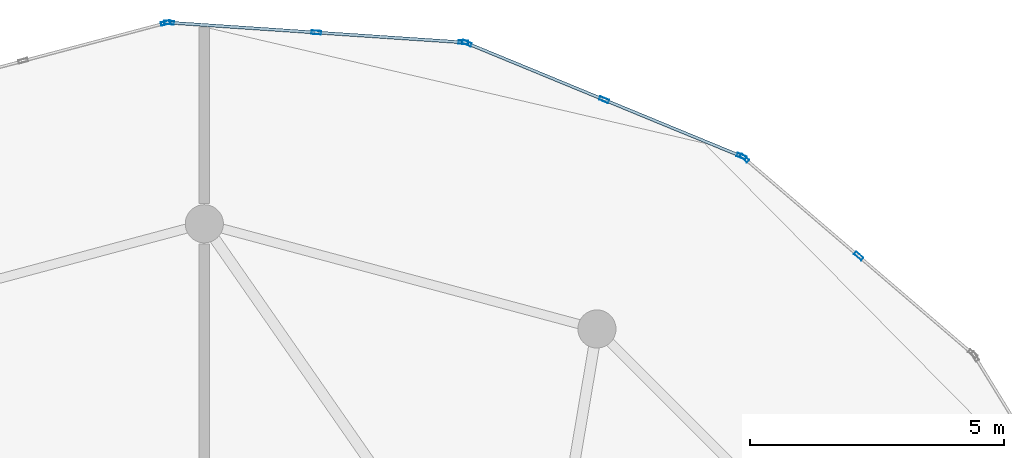
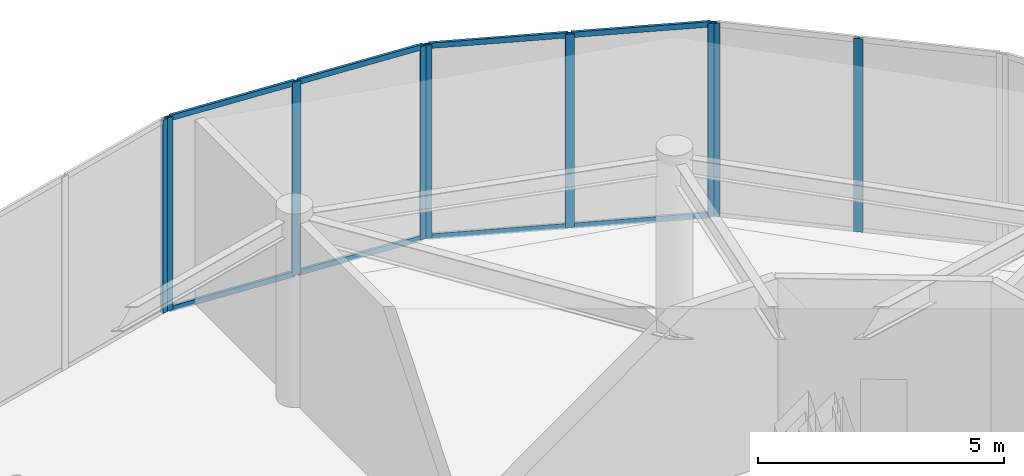
# One storey, part 14 of 21: 17 members, 4 elements without a shape of their own.
"""IFC4 building model written with IfcOpenShell, lengths in metres."""

from ifc_helpers import new_model, si_unit, direction, frame, origin, origin_2d, place, context, subcontext, project, spatial, hollow_rectangle, extrude, source, transform, mapped, material, layer, layer_set, material_profile, profile_set, type_object, element, aggregate, save


model = new_model("IFC4")

# Units and contexts
model_context = context("Model", 3, precision=1e-05, world=origin(), true_north=direction((0.0, 1.0)))
body_context = subcontext(model_context, "Body", "Model", "MODEL_VIEW")
ifc_project = project(units=[si_unit("LENGTHUNIT", "METRE"), si_unit("AREAUNIT", "SQUARE_METRE"), si_unit("VOLUMEUNIT", "CUBIC_METRE"), si_unit("PLANEANGLEUNIT", "RADIAN"), si_unit("MASSUNIT", "GRAM", prefix="KILO")], contexts=[model_context])

# Site, building, storey
site_placement = place(None, origin())
site = spatial("IfcSite", under=ifc_project, at=site_placement, CompositionType="ELEMENT")
building_placement = place(site_placement, origin())
building = spatial("IfcBuilding", under=site, at=building_placement, Name="Solvirekh Grand Hotel", CompositionType="ELEMENT")
storey_placement = place(building_placement, frame((0.0, 0.0, 262.0)))
storey = spatial("IfcBuildingStorey", under=building, at=storey_placement, Name="L68", CompositionType="ELEMENT", Elevation=262.0)

# Curtain wall, members
ifc_material = material(Name="Anodized Bronze Aluminium 6063-T6", Category="aluminium")
ifc_layer = layer(ifc_material, 0.18994140625)
ifc_layer_set = layer_set([ifc_layer], Name="Anodized Bronze Aluminium 6063-T6")
curtain_wall_type = type_object("IfcCurtainWallType", Name="CW_Sys5_SkyLobbyPanoramaCW", PredefinedType="NOTDEFINED", material=ifc_layer_set)
curtain_wall_1_placement = place(storey_placement, origin())
curtain_wall_1 = element("IfcCurtainWall", 1, at=curtain_wall_1_placement, inside=storey, type_object=curtain_wall_type, Name="L68 unitised bronze-glass curtain wall CW-L68-C08", PredefinedType="NOTDEFINED")
ifc_material_profile_1 = material_profile(ifc_material, hollow_rectangle(XDim=0.070068359375, YDim=0.18994140625, WallThickness=0.0048828125, at=origin_2d()), Name="ALU RHS 190X70X5")
ifc_profile_set_1 = profile_set([ifc_material_profile_1], Name="Anodized Bronze Aluminium 6063-T6")
member_type_1 = type_object("IfcMemberType", Name="CWMullion_Sys5", PredefinedType="MULLION", material=ifc_profile_set_1)
shared_shape_1 = source(origin(), body_context, "Body", "SweptSolid", [
    extrude(hollow_rectangle(XDim=0.070068359375, YDim=0.18994140625, WallThickness=0.0048828125, at=origin_2d()), origin(), (0.0, 0.0, 1.0), 4.800048828125),
])
member_1_placement = place(storey_placement, frame((12.8740234375, 14.8154296875, 0.0), z_axis=(0.0, 0.0, 1.0), x_axis=(-0.650805133483, -0.75924480784, 0.0)))
member_1 = element("IfcMember", 2, at=member_1_placement, type_object=member_type_1, Name="U05 mullion 2", PredefinedType="MULLION", context=body_context, shape_type="MappedRepresentation", body=[
    mapped(shared_shape_1, transform((0.0, 0.0, 0.0), x_axis=(1.0, 0.0, 0.0), y_axis=(0.0, 1.0, 0.0), z_axis=(0.0, 0.0, 1.0), scale=1.0)),
])
member_2_placement = place(storey_placement, frame((10.628662109375, 16.740234375, 0.0), z_axis=(0.0, 0.0, 1.0), x_axis=(-0.650805133483, -0.75924480784, 0.0)))
member_2 = element("IfcMember", 3, at=member_2_placement, type_object=member_type_1, Name="U05 mullion 3", PredefinedType="MULLION", context=body_context, shape_type="MappedRepresentation", body=[
    mapped(shared_shape_1, transform((0.0, 0.0, 0.0), x_axis=(1.0, 0.0, 0.0), y_axis=(0.0, 1.0, 0.0), z_axis=(0.0, 0.0, 1.0), scale=1.0)),
])
aggregate(curtain_wall_1, [member_1, member_2])

curtain_wall_2_placement = place(storey_placement, origin())
curtain_wall_2 = element("IfcCurtainWall", 4, at=curtain_wall_2_placement, inside=storey, type_object=curtain_wall_type, Name="L68 unitised bronze-glass curtain wall CW-L68-C09", PredefinedType="NOTDEFINED")
member_3_placement = place(storey_placement, frame((10.569580078125, 16.7763671875, 0.0), z_axis=(0.0, 0.0, 1.0), x_axis=(-0.381047380337, -0.924555511551, 0.0)))
member_3 = element("IfcMember", 5, at=member_3_placement, type_object=member_type_1, Name="U05 mullion 1", PredefinedType="MULLION", context=body_context, shape_type="MappedRepresentation", body=[
    mapped(shared_shape_1, transform((0.0, 0.0, 0.0), x_axis=(1.0, 0.0, 0.0), y_axis=(0.0, 1.0, 0.0), z_axis=(0.0, 0.0, 1.0), scale=1.0)),
])
member_4_placement = place(storey_placement, frame((7.867431640625, 17.889892578125, 0.0), z_axis=(0.0, 0.0, 1.0), x_axis=(-0.381047380337, -0.924555511551, 0.0)))
member_4 = element("IfcMember", 6, at=member_4_placement, type_object=member_type_1, Name="U05 mullion 2", PredefinedType="MULLION", context=body_context, shape_type="MappedRepresentation", body=[
    mapped(shared_shape_1, transform((0.0, 0.0, 0.0), x_axis=(1.0, 0.0, 0.0), y_axis=(0.0, 1.0, 0.0), z_axis=(0.0, 0.0, 1.0), scale=1.0)),
])
member_5_placement = place(storey_placement, frame((5.165283203125, 19.003662109375, 0.0), z_axis=(0.0, 0.0, 1.0), x_axis=(-0.381047380337, -0.924555511551, 0.0)))
member_5 = element("IfcMember", 7, at=member_5_placement, type_object=member_type_1, Name="U05 mullion 3", PredefinedType="MULLION", context=body_context, shape_type="MappedRepresentation", body=[
    mapped(shared_shape_1, transform((0.0, 0.0, 0.0), x_axis=(1.0, 0.0, 0.0), y_axis=(0.0, 1.0, 0.0), z_axis=(0.0, 0.0, 1.0), scale=1.0)),
])

curtain_wall_3_placement = place(storey_placement, origin())
curtain_wall_3 = element("IfcCurtainWall", 8, at=curtain_wall_3_placement, inside=storey, type_object=curtain_wall_type, Name="L68 unitised bronze-glass curtain wall CW-L68-C10", PredefinedType="NOTDEFINED")
member_6_placement = place(storey_placement, frame((5.09814453125, 19.019287109375, 0.0), z_axis=(0.0, 0.0, 1.0), x_axis=(-0.06692590436, -0.997757948265, 0.0)))
member_6 = element("IfcMember", 9, at=member_6_placement, type_object=member_type_1, Name="U05 mullion 1", PredefinedType="MULLION", context=body_context, shape_type="MappedRepresentation", body=[
    mapped(shared_shape_1, transform((0.0, 0.0, 0.0), x_axis=(1.0, 0.0, 0.0), y_axis=(0.0, 1.0, 0.0), z_axis=(0.0, 0.0, 1.0), scale=1.0)),
])
member_7_placement = place(storey_placement, frame((2.20361328125, 19.21337890625, 0.0), z_axis=(0.0, 0.0, 1.0), x_axis=(-0.06692590436, -0.997757948265, 0.0)))
member_7 = element("IfcMember", 10, at=member_7_placement, type_object=member_type_1, Name="U05 mullion 2", PredefinedType="MULLION", context=body_context, shape_type="MappedRepresentation", body=[
    mapped(shared_shape_1, transform((0.0, 0.0, 0.0), x_axis=(1.0, 0.0, 0.0), y_axis=(0.0, 1.0, 0.0), z_axis=(0.0, 0.0, 1.0), scale=1.0)),
])
member_8_placement = place(storey_placement, frame((-0.691162109375, 19.40771484375, 0.0), z_axis=(0.0, 0.0, 1.0), x_axis=(-0.06692590436, -0.997757948265, 0.0)))
member_8 = element("IfcMember", 11, at=member_8_placement, type_object=member_type_1, Name="U05 mullion 3", PredefinedType="MULLION", context=body_context, shape_type="MappedRepresentation", body=[
    mapped(shared_shape_1, transform((0.0, 0.0, 0.0), x_axis=(1.0, 0.0, 0.0), y_axis=(0.0, 1.0, 0.0), z_axis=(0.0, 0.0, 1.0), scale=1.0)),
])

# Curtain wall, member
curtain_wall_4_placement = place(storey_placement, origin())
curtain_wall_4 = element("IfcCurtainWall", 12, at=curtain_wall_4_placement, inside=storey, type_object=curtain_wall_type, Name="L68 unitised bronze-glass curtain wall CW-L68-C11", PredefinedType="NOTDEFINED")
member_9_placement = place(storey_placement, frame((-0.759765625, 19.401123046875, 0.0), z_axis=(0.0, 0.0, 1.0), x_axis=(0.256814577337, -0.966460693907, 0.0)))
member_9 = element("IfcMember", 13, at=member_9_placement, type_object=member_type_1, Name="U05 mullion 1", PredefinedType="MULLION", context=body_context, shape_type="MappedRepresentation", body=[
    mapped(shared_shape_1, transform((0.0, 0.0, 0.0), x_axis=(1.0, 0.0, 0.0), y_axis=(0.0, 1.0, 0.0), z_axis=(0.0, 0.0, 1.0), scale=1.0)),
])
aggregate(curtain_wall_4, [member_9])

# Member
ifc_material_profile_2 = material_profile(ifc_material, hollow_rectangle(XDim=0.06005859375, YDim=0.135009765625, WallThickness=0.00390625, at=origin_2d()), Name="ALU RHS 135X60X4")
ifc_profile_set_2 = profile_set([ifc_material_profile_2], Name="Anodized Bronze Aluminium 6063-T6")
member_type_2 = type_object("IfcMemberType", Name="CWTransom_Sys5", PredefinedType="USERDEFINED", material=ifc_profile_set_2)
shared_shape_2 = source(origin(), body_context, "Body", "SweptSolid", [
    extrude(hollow_rectangle(XDim=0.06005859375, YDim=0.135009765625, WallThickness=0.00390625, at=origin_2d()), origin(), (0.0, 0.0, 1.0), 2.8525390625),
])
member_10_placement = place(storey_placement, frame((10.537353515625, 16.789794921875, 0.030029296875), z_axis=(-0.924566394082, 0.381020974401, 0.0), x_axis=(-0.381020974401, -0.924566394082, 0.0)))
member_10 = element("IfcMember", 14, at=member_10_placement, type_object=member_type_2, Name="U05 transom 1.1", ObjectType="TRANSOM", PredefinedType="USERDEFINED", context=body_context, shape_type="MappedRepresentation", body=[
    mapped(shared_shape_2, transform((0.0, 0.0, 0.0), x_axis=(1.0, 0.0, 0.0), y_axis=(0.0, 1.0, 0.0), z_axis=(0.0, 0.0, 1.0), scale=1.0)),
])

member_11_placement = place(storey_placement, frame((10.537353515625, 16.789794921875, 4.77001953125), z_axis=(-0.924566394082, 0.381020974401, 0.0), x_axis=(-0.381020974401, -0.924566394082, 0.0)))
member_11 = element("IfcMember", 15, at=member_11_placement, type_object=member_type_2, Name="U05 transom 1.2", ObjectType="TRANSOM", PredefinedType="USERDEFINED", context=body_context, shape_type="MappedRepresentation", body=[
    mapped(shared_shape_2, transform((0.0, 0.0, 0.0), x_axis=(1.0, 0.0, 0.0), y_axis=(0.0, 1.0, 0.0), z_axis=(0.0, 0.0, 1.0), scale=1.0)),
])

member_12_placement = place(storey_placement, frame((7.835205078125, 17.9033203125, 0.030029296875), z_axis=(-0.924566394082, 0.381020974401, 0.0), x_axis=(-0.381020974401, -0.924566394082, 0.0)))
member_12 = element("IfcMember", 16, at=member_12_placement, type_object=member_type_2, Name="U05 transom 2.1", ObjectType="TRANSOM", PredefinedType="USERDEFINED", context=body_context, shape_type="MappedRepresentation", body=[
    mapped(shared_shape_2, transform((0.0, 0.0, 0.0), x_axis=(1.0, 0.0, 0.0), y_axis=(0.0, 1.0, 0.0), z_axis=(0.0, 0.0, 1.0), scale=1.0)),
])

member_13_placement = place(storey_placement, frame((7.835205078125, 17.9033203125, 4.77001953125), z_axis=(-0.924566394082, 0.381020974401, 0.0), x_axis=(-0.381020974401, -0.924566394082, 0.0)))
member_13 = element("IfcMember", 17, at=member_13_placement, type_object=member_type_2, Name="U05 transom 2.2", ObjectType="TRANSOM", PredefinedType="USERDEFINED", context=body_context, shape_type="MappedRepresentation", body=[
    mapped(shared_shape_2, transform((0.0, 0.0, 0.0), x_axis=(1.0, 0.0, 0.0), y_axis=(0.0, 1.0, 0.0), z_axis=(0.0, 0.0, 1.0), scale=1.0)),
])

aggregate(curtain_wall_2, [member_3, member_4, member_5, member_10, member_11, member_12, member_13])

shared_shape_3 = source(origin(), body_context, "Body", "SweptSolid", [
    extrude(hollow_rectangle(XDim=0.06005859375, YDim=0.135009765625, WallThickness=0.00390625, at=origin_2d()), origin(), (0.0, 0.0, 1.0), 2.8310546875),
])
member_14_placement = place(storey_placement, frame((5.063232421875, 19.021728515625, 0.030029296875), z_axis=(-0.99775836694, 0.066919662294, 0.0), x_axis=(-0.066919662294, -0.99775836694, 0.0)))
member_14 = element("IfcMember", 18, at=member_14_placement, type_object=member_type_2, Name="U05 transom 1.1", ObjectType="TRANSOM", PredefinedType="USERDEFINED", context=body_context, shape_type="MappedRepresentation", body=[
    mapped(shared_shape_3, transform((0.0, 0.0, 0.0), x_axis=(1.0, 0.0, 0.0), y_axis=(0.0, 1.0, 0.0), z_axis=(0.0, 0.0, 1.0), scale=1.0)),
])

member_15_placement = place(storey_placement, frame((5.063232421875, 19.021728515625, 4.77001953125), z_axis=(-0.99775836694, 0.066919662294, 0.0), x_axis=(-0.066919662294, -0.99775836694, 0.0)))
member_15 = element("IfcMember", 19, at=member_15_placement, type_object=member_type_2, Name="U05 transom 1.2", ObjectType="TRANSOM", PredefinedType="USERDEFINED", context=body_context, shape_type="MappedRepresentation", body=[
    mapped(shared_shape_3, transform((0.0, 0.0, 0.0), x_axis=(1.0, 0.0, 0.0), y_axis=(0.0, 1.0, 0.0), z_axis=(0.0, 0.0, 1.0), scale=1.0)),
])

member_16_placement = place(storey_placement, frame((2.16845703125, 19.2158203125, 0.030029296875), z_axis=(-0.99775836694, 0.066919662294, 0.0), x_axis=(-0.066919662294, -0.99775836694, 0.0)))
member_16 = element("IfcMember", 20, at=member_16_placement, type_object=member_type_2, Name="U05 transom 2.1", ObjectType="TRANSOM", PredefinedType="USERDEFINED", context=body_context, shape_type="MappedRepresentation", body=[
    mapped(shared_shape_3, transform((0.0, 0.0, 0.0), x_axis=(1.0, 0.0, 0.0), y_axis=(0.0, 1.0, 0.0), z_axis=(0.0, 0.0, 1.0), scale=1.0)),
])

member_17_placement = place(storey_placement, frame((2.16845703125, 19.2158203125, 4.77001953125), z_axis=(-0.99775836694, 0.066919662294, 0.0), x_axis=(-0.066919662294, -0.99775836694, 0.0)))
member_17 = element("IfcMember", 21, at=member_17_placement, type_object=member_type_2, Name="U05 transom 2.2", ObjectType="TRANSOM", PredefinedType="USERDEFINED", context=body_context, shape_type="MappedRepresentation", body=[
    mapped(shared_shape_3, transform((0.0, 0.0, 0.0), x_axis=(1.0, 0.0, 0.0), y_axis=(0.0, 1.0, 0.0), z_axis=(0.0, 0.0, 1.0), scale=1.0)),
])

aggregate(curtain_wall_3, [member_6, member_7, member_8, member_14, member_15, member_16, member_17])

save(model, "model.ifc")
